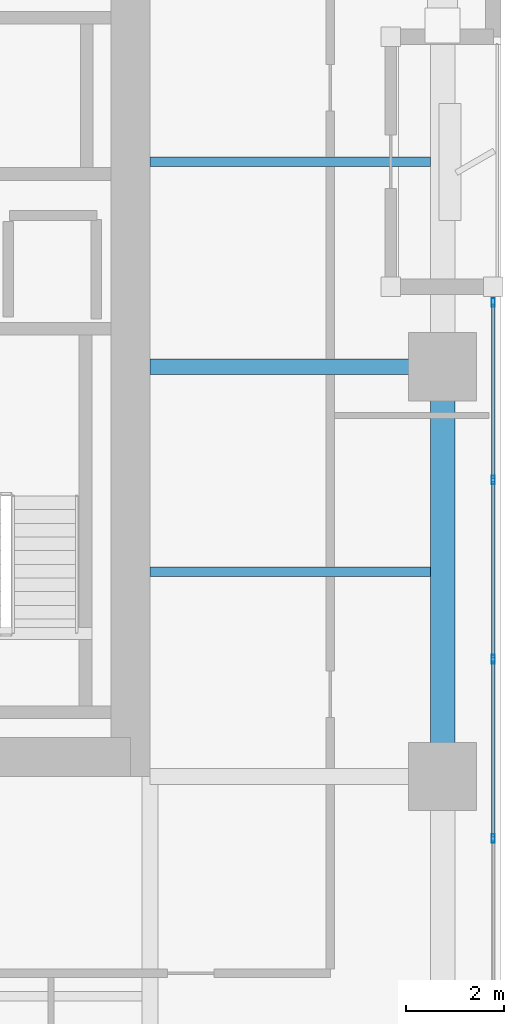
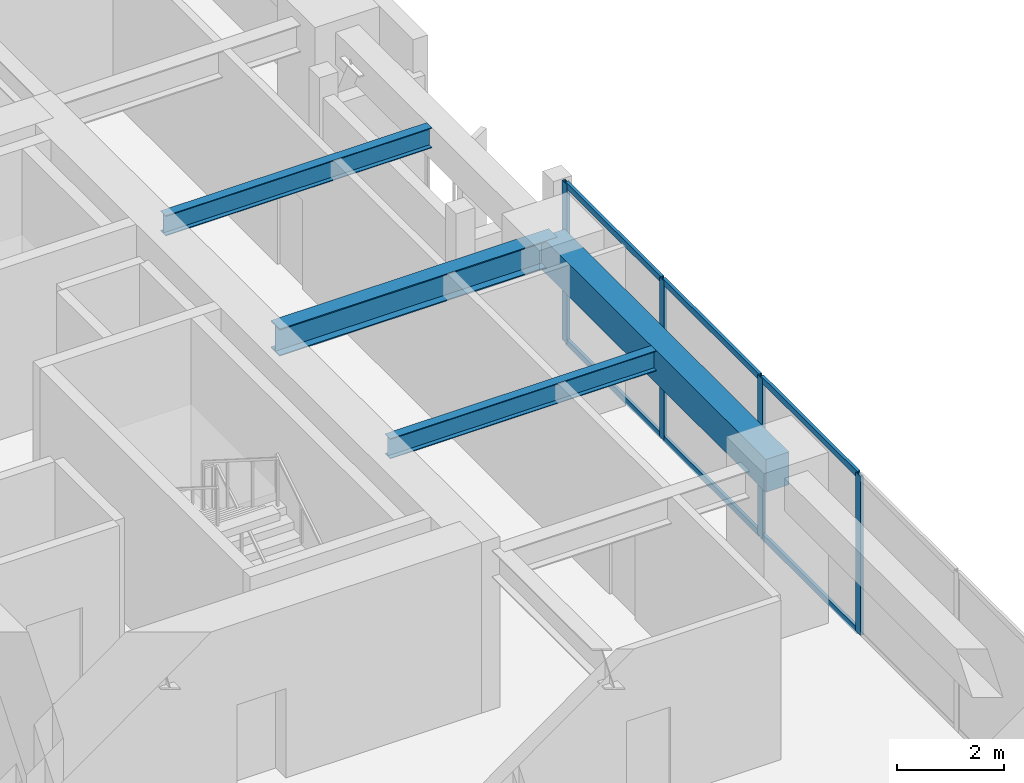
# One storey, part 6 of 24: 10 members, 4 beams, 1 element without a shape of its own.
"""IFC4 building model written with IfcOpenShell, lengths in metres."""

from ifc_helpers import new_model, si_unit, direction, frame, origin, origin_2d, place, context, subcontext, project, spatial, rectangle, hollow_rectangle, i_section, extrude, material, layer, layer_set, material_profile, profile_set, type_object, element, aggregate, save


model = new_model("IFC4")

# Units and contexts
model_context = context("Model", 3, precision=1e-05, world=origin(), true_north=direction((0.0, 1.0)))
body_context = subcontext(model_context, "Body", "Model", "MODEL_VIEW")
ifc_project = project(units=[si_unit("LENGTHUNIT", "METRE"), si_unit("AREAUNIT", "SQUARE_METRE"), si_unit("VOLUMEUNIT", "CUBIC_METRE"), si_unit("PLANEANGLEUNIT", "RADIAN"), si_unit("MASSUNIT", "GRAM", prefix="KILO")], contexts=[model_context])

# Site, building, storey
site_placement = place(None, origin())
site = spatial("IfcSite", under=ifc_project, at=site_placement, CompositionType="ELEMENT")
building_placement = place(site_placement, origin())
building = spatial("IfcBuilding", under=site, at=building_placement, Name="Kiyonajd Concourse Tower", CompositionType="ELEMENT")
storey_placement = place(building_placement, frame((0.0, 0.0, 117.0)))
storey = spatial("IfcBuildingStorey", under=building, at=storey_placement, Name="L30", CompositionType="ELEMENT", Elevation=117.0)

# Beams
ifc_material_1 = material(Name="Steel ASTM A992 Grade 50", Category="steel")
ifc_material_profile_1 = material_profile(ifc_material_1, i_section(OverallWidth=0.19189453125, OverallDepth=0.462890625, WebThickness=0.010498046875, FlangeThickness=0.017578125, at=origin_2d()), Name="W460X89")
ifc_profile_set_1 = profile_set([ifc_material_profile_1], Name="Steel ASTM A992 Grade 50")
beam_type_1 = type_object("IfcBeamType", Name="BM-JST-460B", PredefinedType="JOIST", material=ifc_profile_set_1)
for number, where, z_axis, x_axis, name in (
    (1, (63.60009765625, 31.800048828125, 3.408447265625), (1.0, 0.0, 0.0), (0.0, 1.0, 0.0), "L30 East Secondary Floor Joist"),
    (2, (63.60009765625, 40.199951171875, 3.408447265625), (1.0, 0.0, 0.0), (0.0, 1.0, 0.0), "L30 East Secondary Floor Joist"),
):
    element("IfcBeam", number, at=place(storey_placement, frame(where, z_axis=z_axis, x_axis=x_axis)), inside=storey, type_object=beam_type_1, Name=name, PredefinedType="JOIST", context=body_context, shape_type="SweptSolid", body=[
        extrude(i_section(OverallWidth=0.19189453125, OverallDepth=0.462890625, WebThickness=0.010498046875, FlangeThickness=0.017578125, at=origin_2d()), origin(), (0.0, 0.0, 1.0), 5.75),
    ])
ifc_material_2 = material(Name="Precast concrete C50/60", Category="concrete")
ifc_material_profile_2 = material_profile(ifc_material_2, rectangle(XDim=0.5, YDim=0.75, at=origin_2d()), Name="RCBM-500x750")
ifc_profile_set_2 = profile_set([ifc_material_profile_2], Name="Precast concrete C50/60")
beam_type_2 = type_object("IfcBeamType", Name="BM-SPAN-RC", PredefinedType="SPANDREL", material=ifc_profile_set_2)
beam_1_placement = place(storey_placement, frame((69.60009765625, 27.60009765625, 3.264892578125), z_axis=(0.0, 1.0, 0.0), x_axis=(-1.0, 0.0, 0.0)))
element("IfcBeam", 3, at=beam_1_placement, inside=storey, type_object=beam_type_2, Name="L30 Perimeter Bundled Tube Spandrel", PredefinedType="SPANDREL", context=body_context, shape_type="SweptSolid", body=[
    extrude(rectangle(XDim=0.5, YDim=0.75, at=origin_2d()), origin(), (0.0, 0.0, 1.0), 8.39990234375),
])
ifc_material_profile_3 = material_profile(ifc_material_1, i_section(OverallWidth=0.326904296875, OverallDepth=0.6220703125, WebThickness=0.015380859375, FlangeThickness=0.0244140625, at=origin_2d()), Name="W610X195")
ifc_profile_set_3 = profile_set([ifc_material_profile_3], Name="Steel ASTM A992 Grade 50")
beam_type_3 = type_object("IfcBeamType", Name="BM-TWR-610A", PredefinedType="BEAM", material=ifc_profile_set_3)
beam_2_placement = place(storey_placement, frame((63.60009765625, 36.0, 3.3291015625), z_axis=(1.0, 0.0, 0.0), x_axis=(0.0, 1.0, 0.0)))
element("IfcBeam", 4, at=beam_2_placement, inside=storey, type_object=beam_type_3, Name="L30 East Lease Girder", PredefinedType="BEAM", context=body_context, shape_type="SweptSolid", body=[
    extrude(i_section(OverallWidth=0.326904296875, OverallDepth=0.6220703125, WebThickness=0.015380859375, FlangeThickness=0.0244140625, at=origin_2d()), origin(), (0.0, 0.0, 1.0), 6.0),
])

# Curtain wall, members
ifc_material_3 = material(Name="Thermally Broken Anodised Aluminium", Category="aluminium")
ifc_layer = layer(ifc_material_3, 0.179931640625)
ifc_layer_set = layer_set([ifc_layer], Name="Thermally Broken Anodised Aluminium")
curtain_wall_type = type_object("IfcCurtainWallType", Name="CW-SYS-03", PredefinedType="NOTDEFINED", material=ifc_layer_set)
curtain_wall_placement = place(storey_placement, origin())
curtain_wall = element("IfcCurtainWall", 5, at=curtain_wall_placement, inside=storey, type_object=curtain_wall_type, Name="L30 Unitised Curtain Wall CW3", PredefinedType="NOTDEFINED")
ifc_material_profile_4 = material_profile(ifc_material_3, hollow_rectangle(XDim=0.06494140625, YDim=0.179931640625, WallThickness=0.00390625, at=origin_2d()), Name="MULL-65x180")
ifc_profile_set_4 = profile_set([ifc_material_profile_4], Name="Thermally Broken Anodised Aluminium")
member_type_1 = type_object("IfcMemberType", Name="MB-CW-MULL1", PredefinedType="MULLION", material=ifc_profile_set_4)
member_1_placement = place(storey_placement, frame((70.639892578125, 37.3173828125, 0.0), z_axis=(0.0, 0.0, 1.0), x_axis=(1.0, 0.0, 0.0)))
member_1 = element("IfcMember", 6, at=member_1_placement, type_object=member_type_1, Name="CW3 mullion 1", PredefinedType="MULLION", context=body_context, shape_type="SweptSolid", body=[
    extrude(hollow_rectangle(XDim=0.06494140625, YDim=0.179931640625, WallThickness=0.00390625, at=origin_2d()), origin(), (0.0, 0.0, 1.0), 3.639892578125),
])
member_2_placement = place(storey_placement, frame((70.639892578125, 33.6767578125, 0.0), z_axis=(0.0, 0.0, 1.0), x_axis=(1.0, 0.0, 0.0)))
member_2 = element("IfcMember", 7, at=member_2_placement, type_object=member_type_1, Name="CW3 mullion 2", PredefinedType="MULLION", context=body_context, shape_type="SweptSolid", body=[
    extrude(hollow_rectangle(XDim=0.06494140625, YDim=0.179931640625, WallThickness=0.00390625, at=origin_2d()), origin(), (0.0, 0.0, 1.0), 3.639892578125),
])
member_3_placement = place(storey_placement, frame((70.639892578125, 30.003662109375, 0.0), z_axis=(0.0, 0.0, 1.0), x_axis=(1.0, 0.0, 0.0)))
member_3 = element("IfcMember", 8, at=member_3_placement, type_object=member_type_1, Name="CW3 mullion 3", PredefinedType="MULLION", context=body_context, shape_type="SweptSolid", body=[
    extrude(hollow_rectangle(XDim=0.06494140625, YDim=0.179931640625, WallThickness=0.00390625, at=origin_2d()), origin(), (0.0, 0.0, 1.0), 3.639892578125),
])
member_4_placement = place(storey_placement, frame((70.639892578125, 26.33056640625, 0.0), z_axis=(0.0, 0.0, 1.0), x_axis=(1.0, 0.0, 0.0)))
member_4 = element("IfcMember", 9, at=member_4_placement, type_object=member_type_1, Name="CW3 mullion 4", PredefinedType="MULLION", context=body_context, shape_type="SweptSolid", body=[
    extrude(hollow_rectangle(XDim=0.06494140625, YDim=0.179931640625, WallThickness=0.00390625, at=origin_2d()), origin(), (0.0, 0.0, 1.0), 3.639892578125),
])
ifc_material_profile_5 = material_profile(ifc_material_3, hollow_rectangle(XDim=0.06494140625, YDim=0.139892578125, WallThickness=0.00390625, at=origin_2d()), Name="TRAN-65x140")
ifc_profile_set_5 = profile_set([ifc_material_profile_5], Name="Thermally Broken Anodised Aluminium")
member_type_2 = type_object("IfcMemberType", Name="MB-CW-TRAN1", PredefinedType="USERDEFINED", material=ifc_profile_set_5)
member_5_placement = place(storey_placement, frame((70.639892578125, 37.284912109375, 0.032470703125), z_axis=(0.0, -1.0, 0.0), x_axis=(1.0, 0.0, 0.0)))
member_5 = element("IfcMember", 10, at=member_5_placement, type_object=member_type_2, Name="CW3 transom 1.1", ObjectType="TRANSOM", PredefinedType="USERDEFINED", context=body_context, shape_type="SweptSolid", body=[
    extrude(hollow_rectangle(XDim=0.06494140625, YDim=0.139892578125, WallThickness=0.00390625, at=origin_2d()), origin(), (0.0, 0.0, 1.0), 3.57568359375),
])
member_6_placement = place(storey_placement, frame((70.639892578125, 37.284912109375, 3.607421875), z_axis=(0.0, -1.0, 0.0), x_axis=(1.0, 0.0, 0.0)))
member_6 = element("IfcMember", 11, at=member_6_placement, type_object=member_type_2, Name="CW3 transom 1.2", ObjectType="TRANSOM", PredefinedType="USERDEFINED", context=body_context, shape_type="SweptSolid", body=[
    extrude(hollow_rectangle(XDim=0.06494140625, YDim=0.139892578125, WallThickness=0.00390625, at=origin_2d()), origin(), (0.0, 0.0, 1.0), 3.57568359375),
])
member_7_placement = place(storey_placement, frame((70.639892578125, 33.644287109375, 0.032470703125), z_axis=(0.0, -1.0, 0.0), x_axis=(1.0, 0.0, 0.0)))
member_7 = element("IfcMember", 12, at=member_7_placement, type_object=member_type_2, Name="CW3 transom 2.1", ObjectType="TRANSOM", PredefinedType="USERDEFINED", context=body_context, shape_type="SweptSolid", body=[
    extrude(hollow_rectangle(XDim=0.06494140625, YDim=0.139892578125, WallThickness=0.00390625, at=origin_2d()), origin(), (0.0, 0.0, 1.0), 3.608154296875),
])
member_8_placement = place(storey_placement, frame((70.639892578125, 33.644287109375, 3.607421875), z_axis=(0.0, -1.0, 0.0), x_axis=(1.0, 0.0, 0.0)))
member_8 = element("IfcMember", 13, at=member_8_placement, type_object=member_type_2, Name="CW3 transom 2.2", ObjectType="TRANSOM", PredefinedType="USERDEFINED", context=body_context, shape_type="SweptSolid", body=[
    extrude(hollow_rectangle(XDim=0.06494140625, YDim=0.139892578125, WallThickness=0.00390625, at=origin_2d()), origin(), (0.0, 0.0, 1.0), 3.608154296875),
])
member_9_placement = place(storey_placement, frame((70.639892578125, 29.97119140625, 0.032470703125), z_axis=(0.0, -1.0, 0.0), x_axis=(1.0, 0.0, 0.0)))
member_9 = element("IfcMember", 14, at=member_9_placement, type_object=member_type_2, Name="CW3 transom 3.1", ObjectType="TRANSOM", PredefinedType="USERDEFINED", context=body_context, shape_type="SweptSolid", body=[
    extrude(hollow_rectangle(XDim=0.06494140625, YDim=0.139892578125, WallThickness=0.00390625, at=origin_2d()), origin(), (0.0, 0.0, 1.0), 3.608154296875),
])
member_10_placement = place(storey_placement, frame((70.639892578125, 29.97119140625, 3.607421875), z_axis=(0.0, -1.0, 0.0), x_axis=(1.0, 0.0, 0.0)))
member_10 = element("IfcMember", 15, at=member_10_placement, type_object=member_type_2, Name="CW3 transom 3.2", ObjectType="TRANSOM", PredefinedType="USERDEFINED", context=body_context, shape_type="SweptSolid", body=[
    extrude(hollow_rectangle(XDim=0.06494140625, YDim=0.139892578125, WallThickness=0.00390625, at=origin_2d()), origin(), (0.0, 0.0, 1.0), 3.608154296875),
])
aggregate(curtain_wall, [member_1, member_2, member_3, member_4, member_5, member_6, member_7, member_8, member_9, member_10])

save(model, "model.ifc")
